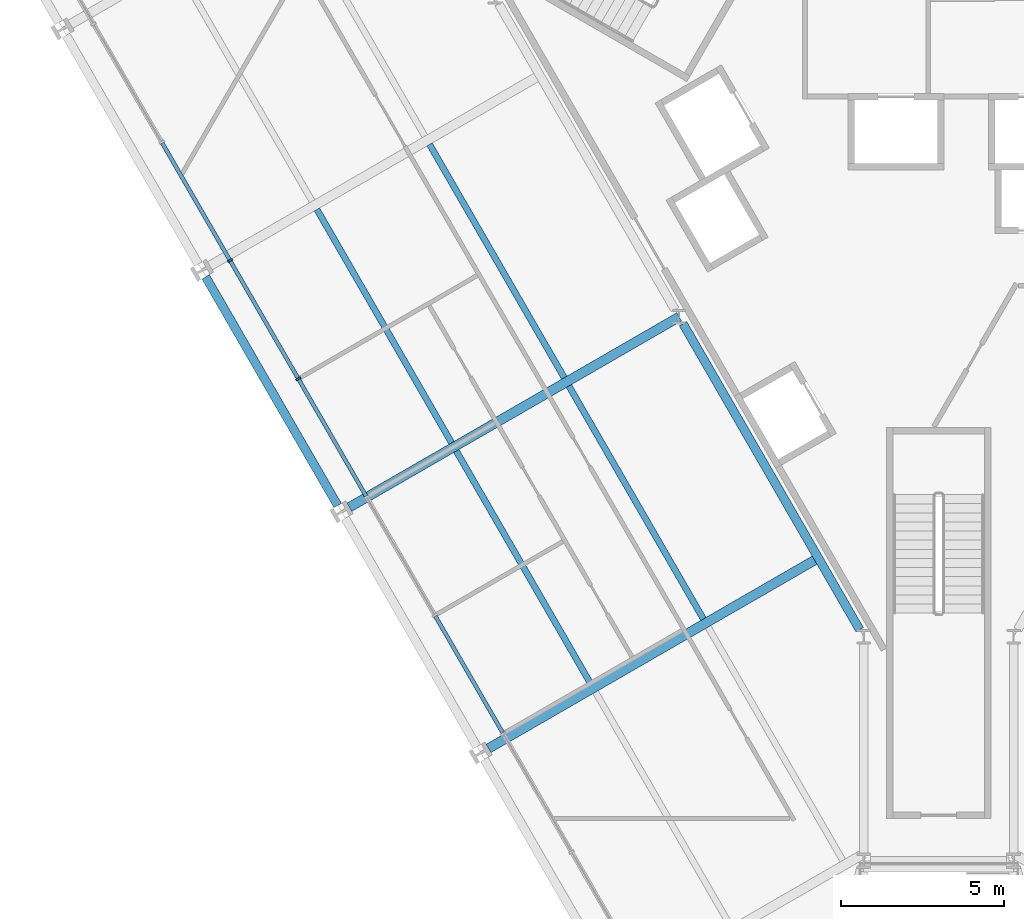
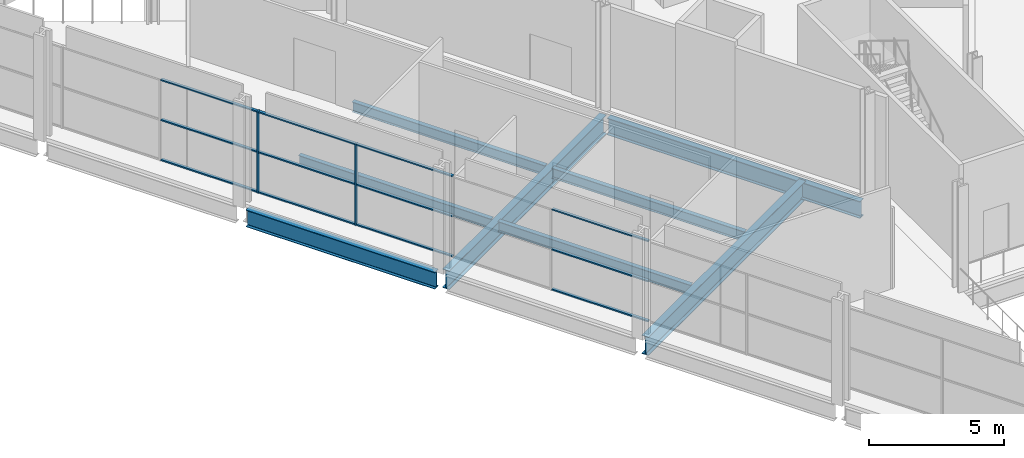
# One storey, part 3 of 18: 14 members, 8 beams, 1 element without a shape of its own.
"""IFC4 building model written with IfcOpenShell, lengths in metres."""

from ifc_helpers import new_model, si_unit, direction, frame, origin, origin_2d, place, context, subcontext, project, spatial, rectangle, i_section, extrude, material, layer, layer_set, material_profile, profile_set, type_object, element, aggregate, save


model = new_model("IFC4")

# Units and contexts
model_context = context("Model", 3, precision=1e-05, world=origin(), true_north=direction((0.0, 1.0)))
body_context = subcontext(model_context, "Body", "Model", "MODEL_VIEW")
ifc_project = project(units=[si_unit("LENGTHUNIT", "METRE"), si_unit("AREAUNIT", "SQUARE_METRE"), si_unit("VOLUMEUNIT", "CUBIC_METRE"), si_unit("PLANEANGLEUNIT", "RADIAN"), si_unit("MASSUNIT", "GRAM", prefix="KILO")], contexts=[model_context])

# Site, building, storey
site_placement = place(None, origin())
site = spatial("IfcSite", under=ifc_project, at=site_placement, CompositionType="ELEMENT")
building_placement = place(site_placement, origin())
building = spatial("IfcBuilding", under=site, at=building_placement, Name="Verrane Prism Tower", CompositionType="ELEMENT")
storey_placement = place(building_placement, frame((0.0, 0.0, 27.199951171875)))
storey = spatial("IfcBuildingStorey", under=building, at=storey_placement, Name="L04", CompositionType="ELEMENT", Elevation=27.199951171875)

# Curtain wall, members
ifc_material_1 = material(Name="Aluminium and glass curtain wall", Category="aluminium")
ifc_layer = layer(ifc_material_1, 0.199951171875)
ifc_layer_set = layer_set([ifc_layer], Name="CWB-1 retail curtain wall")
curtain_wall_type = type_object("IfcCurtainWallType", Name="CWB-1 retail curtain wall", PredefinedType="NOTDEFINED", material=ifc_layer_set)
curtain_wall_placement = place(storey_placement, origin())
curtain_wall = element("IfcCurtainWall", 1, at=curtain_wall_placement, inside=storey, type_object=curtain_wall_type, Name="Retail curtain wall L04 4", PredefinedType="NOTDEFINED")
ifc_material_2 = material(Name="Aluminium", Category="aluminium")
ifc_material_profile_1 = material_profile(ifc_material_2, rectangle(XDim=0.159912109375, YDim=0.06005859375, at=origin_2d()), Name="CWB-M 60x160 mullion")
ifc_profile_set_1 = profile_set([ifc_material_profile_1], Name="Aluminium")
member_type_1 = type_object("IfcMemberType", Name="CWB-M 60x160 mullion", PredefinedType="MULLION", material=ifc_profile_set_1)
member_1_placement = place(storey_placement, frame((-21.74560546875, -2.87548828125, 0.0), z_axis=(0.0, 0.0, 1.0), x_axis=(0.866025335097, 0.50000011897, 0.0)))
member_1 = element("IfcMember", 2, at=member_1_placement, type_object=member_type_1, Name="CWB44 mullion 5", PredefinedType="MULLION", context=body_context, shape_type="SweptSolid", body=[
    extrude(rectangle(XDim=0.159912109375, YDim=0.06005859375, at=origin_2d()), origin(), (0.0, 0.0, 1.0), 3.68994140625),
])
member_2_placement = place(storey_placement, frame((-19.64990234375, -6.505126953125, 0.0), z_axis=(0.0, 0.0, 1.0), x_axis=(0.866025335097, 0.50000011897, 0.0)))
member_2 = element("IfcMember", 3, at=member_2_placement, type_object=member_type_1, Name="CWB44 mullion 6", PredefinedType="MULLION", context=body_context, shape_type="SweptSolid", body=[
    extrude(rectangle(XDim=0.159912109375, YDim=0.06005859375, at=origin_2d()), origin(), (0.0, 0.0, 1.0), 3.68994140625),
])
ifc_material_3 = material(Name="Aluminium", Category="aluminium")
ifc_material_profile_2 = material_profile(ifc_material_3, rectangle(XDim=0.1201171875, YDim=0.06005859375, at=origin_2d()), Name="CWB-T 60x120 transom")
ifc_profile_set_2 = profile_set([ifc_material_profile_2], Name="Aluminium")
member_type_2 = type_object("IfcMemberType", Name="CWB-T 60x120 transom", PredefinedType="USERDEFINED", material=ifc_profile_set_2)
member_3_placement = place(storey_placement, frame((-23.826416015625, 0.728271484375, 0.030029296875), z_axis=(0.500022567122, -0.866012374259, 0.0), x_axis=(0.866012374259, 0.500022567122, 0.0)))
member_3 = element("IfcMember", 4, at=member_3_placement, type_object=member_type_2, Name="CWB44 transom 4.1", ObjectType="TRANSOM", PredefinedType="USERDEFINED", context=body_context, shape_type="SweptSolid", body=[
    extrude(rectangle(XDim=0.1201171875, YDim=0.06005859375, at=origin_2d()), origin(), (0.0, 0.0, 1.0), 4.131103515625),
])
member_4_placement = place(storey_placement, frame((-23.826416015625, 0.728271484375, 1.844970703125), z_axis=(0.500022567122, -0.866012374259, 0.0), x_axis=(0.866012374259, 0.500022567122, 0.0)))
member_4 = element("IfcMember", 5, at=member_4_placement, type_object=member_type_2, Name="CWB44 transom 4.2", ObjectType="TRANSOM", PredefinedType="USERDEFINED", context=body_context, shape_type="SweptSolid", body=[
    extrude(rectangle(XDim=0.1201171875, YDim=0.06005859375, at=origin_2d()), origin(), (0.0, 0.0, 1.0), 4.131103515625),
])
member_5_placement = place(storey_placement, frame((-23.826416015625, 0.728271484375, 3.66015625), z_axis=(0.500022567122, -0.866012374259, 0.0), x_axis=(0.866012374259, 0.500022567122, 0.0)))
member_5 = element("IfcMember", 6, at=member_5_placement, type_object=member_type_2, Name="CWB44 transom 4.3", ObjectType="TRANSOM", PredefinedType="USERDEFINED", context=body_context, shape_type="SweptSolid", body=[
    extrude(rectangle(XDim=0.1201171875, YDim=0.06005859375, at=origin_2d()), origin(), (0.0, 0.0, 1.0), 4.131103515625),
])
member_6_placement = place(storey_placement, frame((-21.730712890625, -2.9013671875, 0.030029296875), z_axis=(0.499996977546, -0.866027148792, 0.0), x_axis=(0.866027148792, 0.499996977546, 0.0)))
member_6 = element("IfcMember", 7, at=member_6_placement, type_object=member_type_2, Name="CWB44 transom 5.1", ObjectType="TRANSOM", PredefinedType="USERDEFINED", context=body_context, shape_type="SweptSolid", body=[
    extrude(rectangle(XDim=0.1201171875, YDim=0.06005859375, at=origin_2d()), origin(), (0.0, 0.0, 1.0), 4.13134765625),
])
member_7_placement = place(storey_placement, frame((-21.730712890625, -2.9013671875, 1.844970703125), z_axis=(0.499996977546, -0.866027148792, 0.0), x_axis=(0.866027148792, 0.499996977546, 0.0)))
member_7 = element("IfcMember", 8, at=member_7_placement, type_object=member_type_2, Name="CWB44 transom 5.2", ObjectType="TRANSOM", PredefinedType="USERDEFINED", context=body_context, shape_type="SweptSolid", body=[
    extrude(rectangle(XDim=0.1201171875, YDim=0.06005859375, at=origin_2d()), origin(), (0.0, 0.0, 1.0), 4.13134765625),
])
member_8_placement = place(storey_placement, frame((-21.730712890625, -2.9013671875, 3.66015625), z_axis=(0.499996977546, -0.866027148792, 0.0), x_axis=(0.866027148792, 0.499996977546, 0.0)))
member_8 = element("IfcMember", 9, at=member_8_placement, type_object=member_type_2, Name="CWB44 transom 5.3", ObjectType="TRANSOM", PredefinedType="USERDEFINED", context=body_context, shape_type="SweptSolid", body=[
    extrude(rectangle(XDim=0.1201171875, YDim=0.06005859375, at=origin_2d()), origin(), (0.0, 0.0, 1.0), 4.13134765625),
])
member_9_placement = place(storey_placement, frame((-19.635009765625, -6.53125, 0.030029296875), z_axis=(0.499996977546, -0.866027148792, 0.0), x_axis=(0.866027148792, 0.499996977546, 0.0)))
member_9 = element("IfcMember", 10, at=member_9_placement, type_object=member_type_2, Name="CWB44 transom 6.1", ObjectType="TRANSOM", PredefinedType="USERDEFINED", context=body_context, shape_type="SweptSolid", body=[
    extrude(rectangle(XDim=0.1201171875, YDim=0.06005859375, at=origin_2d()), origin(), (0.0, 0.0, 1.0), 4.13134765625),
])
member_10_placement = place(storey_placement, frame((-19.635009765625, -6.53125, 1.844970703125), z_axis=(0.499996977546, -0.866027148792, 0.0), x_axis=(0.866027148792, 0.499996977546, 0.0)))
member_10 = element("IfcMember", 11, at=member_10_placement, type_object=member_type_2, Name="CWB44 transom 6.2", ObjectType="TRANSOM", PredefinedType="USERDEFINED", context=body_context, shape_type="SweptSolid", body=[
    extrude(rectangle(XDim=0.1201171875, YDim=0.06005859375, at=origin_2d()), origin(), (0.0, 0.0, 1.0), 4.13134765625),
])
member_11_placement = place(storey_placement, frame((-19.635009765625, -6.53125, 3.66015625), z_axis=(0.499996977546, -0.866027148792, 0.0), x_axis=(0.866027148792, 0.499996977546, 0.0)))
member_11 = element("IfcMember", 12, at=member_11_placement, type_object=member_type_2, Name="CWB44 transom 6.3", ObjectType="TRANSOM", PredefinedType="USERDEFINED", context=body_context, shape_type="SweptSolid", body=[
    extrude(rectangle(XDim=0.1201171875, YDim=0.06005859375, at=origin_2d()), origin(), (0.0, 0.0, 1.0), 4.13134765625),
])
member_12_placement = place(storey_placement, frame((-15.443603515625, -13.790771484375, 0.030029296875), z_axis=(0.499996977546, -0.866027148792, 0.0), x_axis=(0.866027148792, 0.499996977546, 0.0)))
member_12 = element("IfcMember", 13, at=member_12_placement, type_object=member_type_2, Name="CWB44 transom 8.1", ObjectType="TRANSOM", PredefinedType="USERDEFINED", context=body_context, shape_type="SweptSolid", body=[
    extrude(rectangle(XDim=0.1201171875, YDim=0.06005859375, at=origin_2d()), origin(), (0.0, 0.0, 1.0), 4.13134765625),
])
member_13_placement = place(storey_placement, frame((-15.443603515625, -13.790771484375, 1.844970703125), z_axis=(0.499996977546, -0.866027148792, 0.0), x_axis=(0.866027148792, 0.499996977546, 0.0)))
member_13 = element("IfcMember", 14, at=member_13_placement, type_object=member_type_2, Name="CWB44 transom 8.2", ObjectType="TRANSOM", PredefinedType="USERDEFINED", context=body_context, shape_type="SweptSolid", body=[
    extrude(rectangle(XDim=0.1201171875, YDim=0.06005859375, at=origin_2d()), origin(), (0.0, 0.0, 1.0), 4.13134765625),
])
member_14_placement = place(storey_placement, frame((-15.443603515625, -13.790771484375, 3.66015625), z_axis=(0.499996977546, -0.866027148792, 0.0), x_axis=(0.866027148792, 0.499996977546, 0.0)))
member_14 = element("IfcMember", 15, at=member_14_placement, type_object=member_type_2, Name="CWB44 transom 8.3", ObjectType="TRANSOM", PredefinedType="USERDEFINED", context=body_context, shape_type="SweptSolid", body=[
    extrude(rectangle(XDim=0.1201171875, YDim=0.06005859375, at=origin_2d()), origin(), (0.0, 0.0, 1.0), 4.13134765625),
])
aggregate(curtain_wall, [member_1, member_2, member_3, member_4, member_5, member_6, member_7, member_8, member_9, member_10, member_11, member_12, member_13, member_14])

# Beams
ifc_material_4 = material(Name="Steel A992", Category="steel")
ifc_material_profile_3 = material_profile(ifc_material_4, i_section(OverallWidth=0.2666015625, OverallDepth=0.76708984375, WebThickness=0.014892578125, FlangeThickness=0.023681640625, FilletRadius=0.0166015625, at=origin_2d()), Name="W30x124")
ifc_profile_set_3 = profile_set([ifc_material_profile_3], Name="Steel A992")
beam_type_1 = type_object("IfcBeamType", Name="Core ring girder W30x124", PredefinedType="BEAM", material=ifc_profile_set_3)
beam_1_placement = place(storey_placement, frame((-7.844482421875, -4.817138671875, -0.633544921875), z_axis=(0.500022744667, -0.866012271747, 0.0), x_axis=(0.866012271747, 0.500022744667, 0.0)))
element("IfcBeam", 16, at=beam_1_placement, inside=storey, type_object=beam_type_1, Name="Core ring girder L04", PredefinedType="BEAM", context=body_context, shape_type="SweptSolid", body=[
    extrude(i_section(OverallWidth=0.2666015625, OverallDepth=0.76708984375, WebThickness=0.014892578125, FlangeThickness=0.023681640625, FilletRadius=0.0166015625, at=origin_2d()), origin(), (0.0, 0.0, 1.0), 10.837890625),
])
ifc_material_5 = material(Name="Steel A992", Category="steel")
ifc_material_profile_4 = material_profile(ifc_material_5, i_section(OverallWidth=0.1904296875, OverallDepth=0.457275390625, WebThickness=0.009033203125, FlangeThickness=0.014404296875, FilletRadius=0.01025390625, at=origin_2d()), Name="W18x50")
ifc_profile_set_4 = profile_set([ifc_material_profile_4], Name="Steel A992")
beam_type_2 = type_object("IfcBeamType", Name="Floor beam W18x50", PredefinedType="BEAM", material=ifc_profile_set_4)
beam_2_placement = place(storey_placement, frame((-11.48974609375, -6.47314453125, -0.388671875), z_axis=(-0.500010437756, 0.866019377459, 0.0), x_axis=(-0.866019377459, -0.500010437756, 0.0)))
element("IfcBeam", 17, at=beam_2_placement, inside=storey, type_object=beam_type_2, Name="Floor beam L04", PredefinedType="BEAM", context=body_context, shape_type="SweptSolid", body=[
    extrude(i_section(OverallWidth=0.1904296875, OverallDepth=0.457275390625, WebThickness=0.009033203125, FlangeThickness=0.014404296875, FilletRadius=0.01025390625, at=origin_2d()), origin(), (0.0, 0.0, 1.0), 8.267822265625),
])
beam_3_placement = place(storey_placement, frame((-14.947021484375, -8.46875, -0.388671875), z_axis=(-0.500007931068, 0.866020824732, 0.0), x_axis=(-0.866020824732, -0.500007931068, 0.0)))
element("IfcBeam", 18, at=beam_3_placement, inside=storey, type_object=beam_type_2, Name="Floor beam L04", PredefinedType="BEAM", context=body_context, shape_type="SweptSolid", body=[
    extrude(i_section(OverallWidth=0.1904296875, OverallDepth=0.457275390625, WebThickness=0.009033203125, FlangeThickness=0.014404296875, FilletRadius=0.01025390625, at=origin_2d()), origin(), (0.0, 0.0, 1.0), 8.266357421875),
])
beam_4_placement = place(storey_placement, frame((-7.2197265625, -13.876953125, -0.388671875), z_axis=(-0.499987846292, 0.866032420617, 0.0), x_axis=(-0.866032420617, -0.499987846292, 0.0)))
element("IfcBeam", 19, at=beam_4_placement, inside=storey, type_object=beam_type_2, Name="Floor beam L04", PredefinedType="BEAM", context=body_context, shape_type="SweptSolid", body=[
    extrude(i_section(OverallWidth=0.1904296875, OverallDepth=0.457275390625, WebThickness=0.009033203125, FlangeThickness=0.014404296875, FilletRadius=0.01025390625, at=origin_2d()), origin(), (0.0, 0.0, 1.0), 8.255126953125),
])
beam_5_placement = place(storey_placement, frame((-10.67626953125, -15.8701171875, -0.388671875), z_axis=(-0.500010949126, 0.866019082211, 0.0), x_axis=(-0.866019082211, -0.500010949126, 0.0)))
element("IfcBeam", 20, at=beam_5_placement, inside=storey, type_object=beam_type_2, Name="Floor beam L04", PredefinedType="BEAM", context=body_context, shape_type="SweptSolid", body=[
    extrude(i_section(OverallWidth=0.1904296875, OverallDepth=0.457275390625, WebThickness=0.009033203125, FlangeThickness=0.014404296875, FilletRadius=0.01025390625, at=origin_2d()), origin(), (0.0, 0.0, 1.0), 8.253173828125),
])
ifc_material_6 = material(Name="Steel A992", Category="steel")
ifc_material_profile_5 = material_profile(ifc_material_6, i_section(OverallWidth=0.2919921875, OverallDepth=0.845703125, WebThickness=0.015380859375, FlangeThickness=0.0244140625, FilletRadius=0.017822265625, at=origin_2d()), Name="W33x141")
ifc_profile_set_5 = profile_set([ifc_material_profile_5], Name="Steel A992")
beam_type_3 = type_object("IfcBeamType", Name="Radial girder W33x141", PredefinedType="BEAM", material=ifc_profile_set_5)
beam_6_placement = place(storey_placement, frame((-18.08349609375, -10.44775390625, -0.642822265625), z_axis=(0.866019930389, 0.500009480079, 0.0), x_axis=(-0.500009480079, 0.866019930389, 0.0)))
element("IfcBeam", 21, at=beam_6_placement, inside=storey, type_object=beam_type_3, Name="Radial girder L04", PredefinedType="BEAM", context=body_context, shape_type="SweptSolid", body=[
    extrude(i_section(OverallWidth=0.2919921875, OverallDepth=0.845703125, WebThickness=0.015380859375, FlangeThickness=0.0244140625, FilletRadius=0.017822265625, at=origin_2d()), origin(), (0.0, 0.0, 1.0), 11.682373046875),
])
beam_7_placement = place(storey_placement, frame((-13.813720703125, -17.847900390625, -0.642822265625), z_axis=(0.866026929639, 0.499997357134, 0.0), x_axis=(-0.499997357134, 0.866026929639, 0.0)))
element("IfcBeam", 22, at=beam_7_placement, inside=storey, type_object=beam_type_3, Name="Radial girder L04", PredefinedType="BEAM", context=body_context, shape_type="SweptSolid", body=[
    extrude(i_section(OverallWidth=0.2919921875, OverallDepth=0.845703125, WebThickness=0.015380859375, FlangeThickness=0.0244140625, FilletRadius=0.017822265625, at=origin_2d()), origin(), (0.0, 0.0, 1.0), 11.68505859375),
])
ifc_material_7 = material(Name="Steel A992", Category="steel")
ifc_material_profile_6 = material_profile(ifc_material_7, i_section(OverallWidth=0.2666015625, OverallDepth=0.76708984375, WebThickness=0.014892578125, FlangeThickness=0.023681640625, FilletRadius=0.0166015625, at=origin_2d()), Name="W30x124")
ifc_profile_set_6 = profile_set([ifc_material_profile_6], Name="Steel A992")
beam_type_4 = type_object("IfcBeamType", Name="Spandrel beam W30x124", PredefinedType="SPANDREL", material=ifc_profile_set_6)
beam_8_placement = place(storey_placement, frame((-22.496337890625, -3.376953125, -0.54345703125), z_axis=(0.500183217764, -0.865919597115, 0.0), x_axis=(0.865919597115, 0.500183217764, 0.0)))
element("IfcBeam", 23, at=beam_8_placement, inside=storey, type_object=beam_type_4, Name="Spandrel beam L04", PredefinedType="SPANDREL", context=body_context, shape_type="SweptSolid", body=[
    extrude(i_section(OverallWidth=0.2666015625, OverallDepth=0.76708984375, WebThickness=0.014892578125, FlangeThickness=0.023681640625, FilletRadius=0.0166015625, at=origin_2d()), origin(), (0.0, 0.0, 1.0), 8.1025390625),
])

save(model, "model.ifc")
